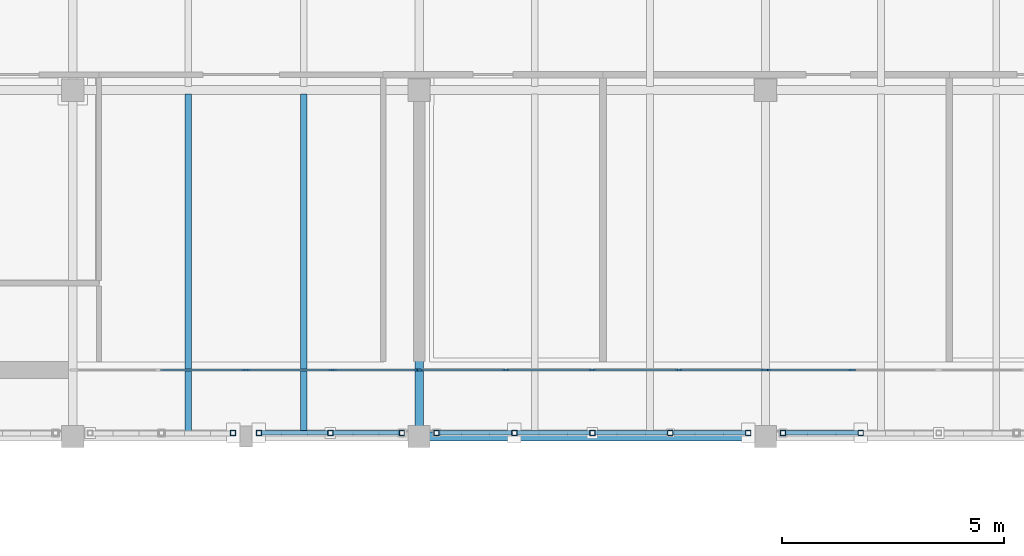
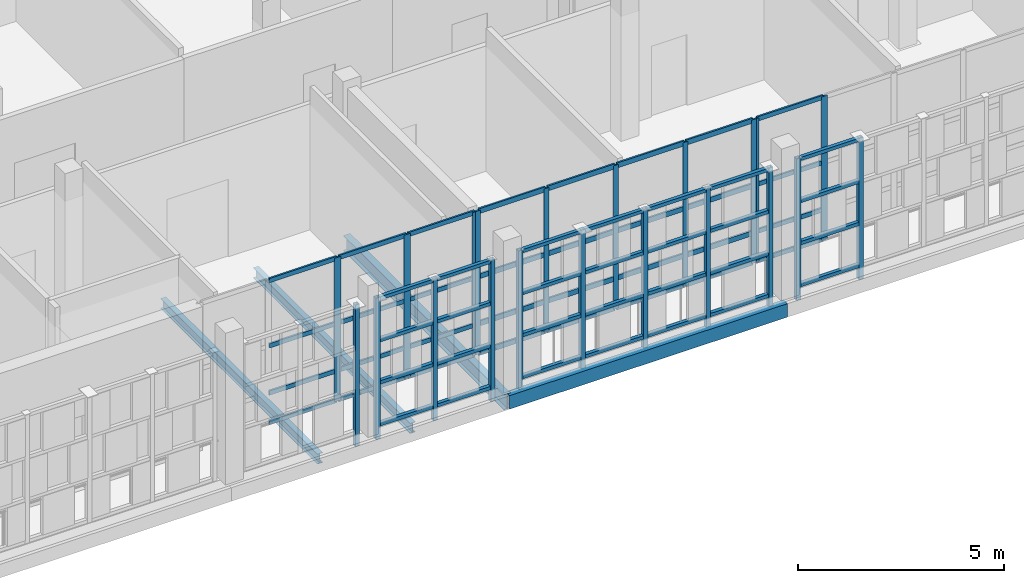
# One storey, part 39 of 89: 81 members, 4 beams, 3 elements without a shape of their own.
"""IFC4 building model written with IfcOpenShell, lengths in metres."""

import ifcopenshell
import ifcopenshell.guid

model = None  # the IFC model being written
_history = None  # IfcOwnerHistory: only IFC2X3 demands one
_inside = {}  # id of a spatial element -> (the spatial element, [elements in it])
_under = {}  # id of a project, library or spatial element -> (it, [spatial elements below it])
_declared = {}  # id of a project -> (the project, [libraries it declares])
_typed = {}  # id of a type object -> (the type object, [elements of that type])
_made_of = {}  # id of a material, layer set ... -> (it, [elements and type objects made of it])


def new_model(schema):
    """Start an empty IFC model of exactly this schema.

    Asked for "IFC4X3", IfcOpenShell would pick the latest addendum, in which some entities
    have other attributes; the version numbers below select the first issue.
    IFC2X3 requires an IfcOwnerHistory on every rooted entity: one is made here for all.
    """
    global model, _history
    if schema == "IFC4X3":
        model = ifcopenshell.file(schema_version=(4, 3, 0, 0))
    else:
        model = ifcopenshell.file(schema=schema)
    _inside.clear()
    _under.clear()
    _declared.clear()
    _typed.clear()
    _made_of.clear()
    _history = None
    if model.schema == "IFC2X3":
        org = make("IfcOrganization", Name="unknown")
        user = make(
            "IfcPersonAndOrganization",
            ThePerson=make("IfcPerson", FamilyName="unknown"),
            TheOrganization=org,
        )
        app = make(
            "IfcApplication",
            ApplicationDeveloper=org,
            Version="unknown",
            ApplicationFullName="unknown",
            ApplicationIdentifier="unknown",
        )
        _history = make(
            "IfcOwnerHistory",
            OwningUser=user,
            OwningApplication=app,
            ChangeAction="ADDED",
            CreationDate=0,
        )
    return model


def make(cls, **values):
    """One entity of the class cls with the attributes given. An attribute that is None is left unset."""
    return model.create_entity(
        cls, **{name: value for name, value in values.items() if value is not None}
    )


def rooted(cls, **values):
    """An entity with a GlobalId (a new one), such as an element, a storey or a relation."""
    return make(cls, GlobalId=ifcopenshell.guid.new(), OwnerHistory=_history, **values)


def si_unit(unit_type, name, prefix=None):
    """IfcSIUnit, for example si_unit("LENGTHUNIT", "METRE", prefix="MILLI")."""
    return make("IfcSIUnit", UnitType=unit_type, Prefix=prefix, Name=name)


def assignment(units):
    """IfcUnitAssignment: the units of a project."""
    return None if units is None else make("IfcUnitAssignment", Units=units)


def point(xyz):
    """IfcCartesianPoint."""
    return None if xyz is None else make("IfcCartesianPoint", Coordinates=xyz)


def direction(xyz):
    """IfcDirection."""
    return None if xyz is None else make("IfcDirection", DirectionRatios=xyz)


def frame(location, z_axis=None, x_axis=None):
    """IfcAxis2Placement3D, a coordinate frame: its origin and axes. An axis left out is left unset."""
    return make(
        "IfcAxis2Placement3D",
        Location=point(location),
        Axis=direction(z_axis),
        RefDirection=direction(x_axis),
    )


def frame_2d(location, x_axis=None):
    """IfcAxis2Placement2D, a coordinate frame in the plane: its origin and x axis."""
    return make(
        "IfcAxis2Placement2D", Location=point(location), RefDirection=direction(x_axis)
    )


def origin():
    """The frame at (0, 0, 0) with its axes left unset."""
    return frame((0.0, 0.0, 0.0))


def origin_2d():
    """The frame at (0, 0) in the plane with its x axis left unset."""
    return frame_2d((0.0, 0.0))


def place(relative_to, where):
    """IfcLocalPlacement: puts the frame where relative to a parent placement (None: the world)."""
    return make(
        "IfcLocalPlacement", PlacementRelTo=relative_to, RelativePlacement=where
    )


def context(
    kind, dimensions, precision=None, world=None, true_north=None, identifier=None
):
    """IfcGeometricRepresentationContext, for example the 3D "Model" context."""
    return make(
        "IfcGeometricRepresentationContext",
        ContextIdentifier=identifier,
        ContextType=kind,
        CoordinateSpaceDimension=dimensions,
        Precision=precision,
        WorldCoordinateSystem=world,
        TrueNorth=true_north,
    )


def subcontext(parent, identifier, kind, view, scale=None):
    """IfcGeometricRepresentationSubContext, for example "Body" below "Model"."""
    return make(
        "IfcGeometricRepresentationSubContext",
        ContextIdentifier=identifier,
        ContextType=kind,
        ParentContext=parent,
        TargetScale=scale,
        TargetView=view,
    )


def project(units=None, contexts=None):
    """IfcProject with its units and contexts."""
    return rooted(
        "IfcProject",
        Name="project",
        RepresentationContexts=contexts,
        UnitsInContext=assignment(units),
    )


def spatial(cls, under=None, at=None, **own):
    """A site, building, storey or space (cls), placed at a placement, below another one or the project."""
    s = rooted(cls, ObjectPlacement=at, **own)
    if under is not None:
        _under.setdefault(under.id(), (under, []))[1].append(s)
    return s


def profile(cls, at=None, kind="AREA", **sizes):
    """A parametric profile (cls). Its sizes go by their IFC names, for example OverallWidth=200.0."""
    return make(cls, ProfileType=kind, Position=at, **sizes)


def rectangle(**sizes):
    """IfcRectangleProfileDef."""
    return profile("IfcRectangleProfileDef", **sizes)


def hollow_rectangle(**sizes):
    """IfcRectangleHollowProfileDef."""
    return profile("IfcRectangleHollowProfileDef", **sizes)


def i_section(**sizes):
    """IfcIShapeProfileDef."""
    return profile("IfcIShapeProfileDef", **sizes)


def extrude(swept, where, along, depth):
    """IfcExtrudedAreaSolid: the profile swept, set in the frame where, extruded along a direction by depth."""
    return make(
        "IfcExtrudedAreaSolid",
        SweptArea=swept,
        Position=where,
        ExtrudedDirection=direction(along),
        Depth=depth,
    )


def shape(context_of_items, identifier, shape_type, items):
    """IfcShapeRepresentation: the items that make up one representation, for example the "Body"."""
    return make(
        "IfcShapeRepresentation",
        ContextOfItems=context_of_items,
        RepresentationIdentifier=identifier,
        RepresentationType=shape_type,
        Items=items,
    )


def material(Name=None, Category=None):
    """IfcMaterial."""
    return make("IfcMaterial", Name=Name, Category=Category)


def layer(
    of_material, thickness, ventilated=None, Name=None, Category=None, Priority=None
):
    """IfcMaterialLayer: one layer of a wall or slab, of a material (None: an air gap)."""
    return make(
        "IfcMaterialLayer",
        Material=of_material,
        LayerThickness=thickness,
        IsVentilated=ventilated,
        Name=Name,
        Category=Category,
        Priority=Priority,
    )


def layer_set(layers, Name=None):
    """IfcMaterialLayerSet."""
    return make("IfcMaterialLayerSet", MaterialLayers=layers, LayerSetName=Name)


def material_profile(
    of_material, cross_section, Name=None, Category=None, Priority=None
):
    """IfcMaterialProfile: a cross section and its material."""
    return make(
        "IfcMaterialProfile",
        Name=Name,
        Material=of_material,
        Profile=cross_section,
        Priority=Priority,
        Category=Category,
    )


def profile_set(profiles, Name=None, composite=None):
    """IfcMaterialProfileSet."""
    return make(
        "IfcMaterialProfileSet",
        Name=Name,
        MaterialProfiles=profiles,
        CompositeProfile=composite,
    )


def made_of(thing, what):
    """Note that an element or type object is made of a material, layer set ...; save() writes the relation."""
    if what is not None:
        _made_of.setdefault(what.id(), (what, []))[1].append(thing)
    return thing


def type_object(cls, material=None, **own):
    """A type object (cls), such as IfcWallType, which elements share."""
    return made_of(rooted(cls, **own), material)


def element(
    cls,
    number,
    at=None,
    inside=None,
    cuts=None,
    type_object=None,
    material=None,
    context=None,
    identifier="Body",
    shape_type=None,
    held_by="IfcProductDefinitionShape",
    body=None,
    shapes=None,
    **own,
):
    """One element of the class cls, such as IfcWall. Its Tag is "e" and its number.

    at: its placement. inside: the storey or other place that contains it. cuts: it is an
    opening in that element (IfcRelVoidsElement). A single representation is given by context,
    identifier, shape_type and body (its items); several are given by shapes. held_by: the class
    of the entity that holds the representations. save() writes the other relations.
    """
    e = rooted(cls, Tag="e%d" % number, ObjectPlacement=at, **own)
    if body is not None:
        shapes = [shape(context, identifier, shape_type, body)]
    if shapes is not None:
        e.Representation = make(held_by, Representations=shapes)
    if inside is not None:
        _inside.setdefault(inside.id(), (inside, []))[1].append(e)
    if cuts is not None:
        rooted(
            "IfcRelVoidsElement", RelatingBuildingElement=cuts, RelatedOpeningElement=e
        )
    if type_object is not None:
        _typed.setdefault(type_object.id(), (type_object, []))[1].append(e)
    return made_of(e, material)


def aggregate(whole, parts):
    """IfcRelAggregates: a whole, such as a stair, and the parts it consists of."""
    return rooted("IfcRelAggregates", RelatingObject=whole, RelatedObjects=parts)


def save(model, path):
    """Write the relations noted so far, then the file.

    IfcRelAggregates (storeys below a building ...), IfcRelContainedInSpatialStructure (elements
    in a storey), IfcRelDefinesByType, IfcRelAssociatesMaterial and IfcRelDeclares: one each for
    every whole, place, type object, material and project.
    """
    for whole, parts in _under.values():
        aggregate(whole, parts)
    for where, things in _inside.values():
        rooted(
            "IfcRelContainedInSpatialStructure",
            RelatedElements=things,
            RelatingStructure=where,
        )
    for kind, things in _typed.values():
        rooted("IfcRelDefinesByType", RelatedObjects=things, RelatingType=kind)
    for what, things in _made_of.values():
        rooted("IfcRelAssociatesMaterial", RelatedObjects=things, RelatingMaterial=what)
    for by, libraries in _declared.values():
        rooted("IfcRelDeclares", RelatingContext=by, RelatedDefinitions=libraries)
    model.write(path)


model = new_model("IFC4")

# Units and contexts
model_context = context("Model", 3, precision=1e-05, world=origin(), true_north=direction((0.0, 1.0)))
body_context = subcontext(model_context, "Body", "Model", "MODEL_VIEW")
ifc_project = project(units=[si_unit("LENGTHUNIT", "METRE"), si_unit("AREAUNIT", "SQUARE_METRE"), si_unit("VOLUMEUNIT", "CUBIC_METRE"), si_unit("PLANEANGLEUNIT", "RADIAN"), si_unit("MASSUNIT", "GRAM", prefix="KILO")], contexts=[model_context])

# Site, building, storey
site_placement = place(None, origin())
site = spatial("IfcSite", under=ifc_project, at=site_placement, CompositionType="ELEMENT")
building_placement = place(site_placement, origin())
building = spatial("IfcBuilding", under=site, at=building_placement, Name="Celorna Specialist Clinic", CompositionType="ELEMENT")
storey_placement = place(building_placement, frame((0.0, 0.0, 14.10009765625)))
storey = spatial("IfcBuildingStorey", under=building, at=storey_placement, Name="L03", CompositionType="ELEMENT", Elevation=14.10009765625)

# Beams
ifc_material_1 = material(Name="Steel S355", Category="steel")
ifc_material_profile_1 = material_profile(ifc_material_1, i_section(OverallWidth=0.18994140625, OverallDepth=0.449951171875, WebThickness=0.009521484375, FlangeThickness=0.0146484375, at=origin_2d()), Name="IPE 450")
ifc_profile_set_1 = profile_set([ifc_material_profile_1], Name="Steel S355")
beam_type_1 = type_object("IfcBeamType", Name="BM-09", PredefinedType="BEAM", material=ifc_profile_set_1)
beam_1_placement = place(storey_placement, frame((101.39990234375, 96.5, -0.485107421875), z_axis=(0.0, 1.0, 0.0), x_axis=(-1.0, 0.0, 0.0)))
element("IfcBeam", 1, at=beam_1_placement, inside=storey, type_object=beam_type_1, Name="Transverse girder BM-09 #1266", PredefinedType="BEAM", context=body_context, shape_type="SweptSolid", body=[
    extrude(i_section(OverallWidth=0.18994140625, OverallDepth=0.449951171875, WebThickness=0.009521484375, FlangeThickness=0.0146484375, at=origin_2d()), origin(), (0.0, 0.0, 1.0), 7.800048828125),
])
ifc_material_profile_2 = material_profile(ifc_material_1, i_section(OverallWidth=0.14990234375, OverallDepth=0.300048828125, WebThickness=0.007080078125, FlangeThickness=0.0107421875, at=origin_2d()), Name="IPE 300")
ifc_profile_set_2 = profile_set([ifc_material_profile_2], Name="Steel S355")
beam_type_2 = type_object("IfcBeamType", Name="BM-13", PredefinedType="JOIST", material=ifc_profile_set_2)
for number, where, z_axis, x_axis, name in (
    (2, (96.199951171875, 96.587890625, -0.41015625), (0.0, 1.0, 0.0), (-1.0, 0.0, 0.0), "Secondary floor joist BM-13 #1311"),
    (3, (98.800048828125, 96.587890625, -0.41015625), (0.0, 1.0, 0.0), (-1.0, 0.0, 0.0), "Secondary floor joist BM-13 #1312"),
):
    element("IfcBeam", number, at=place(storey_placement, frame(where, z_axis=z_axis, x_axis=x_axis)), inside=storey, type_object=beam_type_2, Name=name, PredefinedType="JOIST", context=body_context, shape_type="SweptSolid", body=[
        extrude(i_section(OverallWidth=0.14990234375, OverallDepth=0.300048828125, WebThickness=0.007080078125, FlangeThickness=0.0107421875, at=origin_2d()), origin(), (0.0, 0.0, 1.0), 7.6240234375),
    ])
ifc_material_profile_3 = material_profile(ifc_material_1, hollow_rectangle(XDim=0.199951171875, YDim=0.39990234375, WallThickness=0.011962890625, at=origin_2d()), Name="RHS 200x400x12")
ifc_profile_set_3 = profile_set([ifc_material_profile_3], Name="Steel S355")
beam_type_3 = type_object("IfcBeamType", Name="BM-15", PredefinedType="SPANDREL", material=ifc_profile_set_3)
beam_2_placement = place(storey_placement, frame((101.39990234375, 96.5, -0.460205078125), z_axis=(1.0, 0.0, 0.0), x_axis=(0.0, 1.0, 0.0)))
element("IfcBeam", 4, at=beam_2_placement, inside=storey, type_object=beam_type_3, Name="Spandrel beam BM-15 #1208", PredefinedType="SPANDREL", context=body_context, shape_type="SweptSolid", body=[
    extrude(hollow_rectangle(XDim=0.199951171875, YDim=0.39990234375, WallThickness=0.011962890625, at=origin_2d()), origin(), (0.0, 0.0, 1.0), 7.800048828125),
])

# Members
ifc_material_profile_4 = material_profile(ifc_material_1, hollow_rectangle(XDim=0.1201171875, YDim=0.1201171875, WallThickness=0.008056640625, at=origin_2d()), Name="SHS 120x120x8")
ifc_profile_set_4 = profile_set([ifc_material_profile_4], Name="Steel S355")
member_type_1 = type_object("IfcMemberType", Name="MB-11", PredefinedType="STUD", material=ifc_profile_set_4)
for number, where, z_axis, x_axis, name in (
    (5, (97.2099609375, 96.580078125, -0.360107421875), (0.0, 0.0, 1.0), (1.0, 0.0, 0.0), "Perforated screen steel post #1360"),
    (6, (97.7900390625, 96.580078125, -0.360107421875), (0.0, 0.0, 1.0), (1.0, 0.0, 0.0), "Perforated screen steel post #1369"),
    (7, (99.39990234375, 96.580078125, -0.360107421875), (0.0, 0.0, 1.0), (1.0, 0.0, 0.0), "Perforated screen steel post #1370"),
    (8, (101.010009765625, 96.580078125, -0.360107421875), (0.0, 0.0, 1.0), (1.0, 0.0, 0.0), "Perforated screen steel post #1371"),
    (9, (101.7900390625, 96.580078125, -0.360107421875), (0.0, 0.0, 1.0), (1.0, 0.0, 0.0), "Perforated screen steel post #1380"),
    (10, (103.544921875, 96.580078125, -0.360107421875), (0.0, 0.0, 1.0), (1.0, 0.0, 0.0), "Perforated screen steel post #1381"),
    (11, (105.300048828125, 96.580078125, -0.360107421875), (0.0, 0.0, 1.0), (1.0, 0.0, 0.0), "Perforated screen steel post #1382"),
    (12, (107.054931640625, 96.580078125, -0.360107421875), (0.0, 0.0, 1.0), (1.0, 0.0, 0.0), "Perforated screen steel post #1383"),
    (13, (108.81005859375, 96.580078125, -0.360107421875), (0.0, 0.0, 1.0), (1.0, 0.0, 0.0), "Perforated screen steel post #1384"),
    (14, (109.590087890625, 96.580078125, -0.360107421875), (0.0, 0.0, 1.0), (1.0, 0.0, 0.0), "Perforated screen steel post #1401"),
    (15, (111.344970703125, 96.580078125, -0.360107421875), (0.0, 0.0, 1.0), (1.0, 0.0, 0.0), "Perforated screen steel post #1402"),
):
    element("IfcMember", number, at=place(storey_placement, frame(where, z_axis=z_axis, x_axis=x_axis)), inside=storey, type_object=member_type_1, Name=name, PredefinedType="STUD", context=body_context, shape_type="SweptSolid", body=[
        extrude(hollow_rectangle(XDim=0.1201171875, YDim=0.1201171875, WallThickness=0.008056640625, at=origin_2d()), origin(), (0.0, 0.0, 1.0), 4.199951171875),
    ])
ifc_material_profile_5 = material_profile(ifc_material_1, hollow_rectangle(XDim=0.10009765625, YDim=0.10009765625, WallThickness=0.006103515625, at=origin_2d()), Name="SHS 100x100x6")
ifc_profile_set_5 = profile_set([ifc_material_profile_5], Name="Steel S355")
member_type_2 = type_object("IfcMemberType", Name="MB-12", PredefinedType="STUD", material=ifc_profile_set_5)
for number, where, z_axis, x_axis, name in (
    (16, (97.85009765625, 96.580078125, 0.0498046875), (1.0, 0.0, 0.0), (0.0, 1.0, 0.0), "Perforated screen rail #1372"),
    (17, (97.85009765625, 96.580078125, 1.296630859375), (1.0, 0.0, 0.0), (0.0, 1.0, 0.0), "Perforated screen rail #1373"),
    (18, (97.85009765625, 96.580078125, 2.543212890625), (1.0, 0.0, 0.0), (0.0, 1.0, 0.0), "Perforated screen rail #1374"),
    (19, (97.85009765625, 96.580078125, 3.789794921875), (1.0, 0.0, 0.0), (0.0, 1.0, 0.0), "Perforated screen rail #1375"),
    (20, (99.4599609375, 96.580078125, 0.0498046875), (1.0, 0.0, 0.0), (0.0, 1.0, 0.0), "Perforated screen rail #1376"),
    (21, (99.4599609375, 96.580078125, 1.296630859375), (1.0, 0.0, 0.0), (0.0, 1.0, 0.0), "Perforated screen rail #1377"),
    (22, (99.4599609375, 96.580078125, 2.543212890625), (1.0, 0.0, 0.0), (0.0, 1.0, 0.0), "Perforated screen rail #1378"),
    (23, (99.4599609375, 96.580078125, 3.789794921875), (1.0, 0.0, 0.0), (0.0, 1.0, 0.0), "Perforated screen rail #1379"),
):
    element("IfcMember", number, at=place(storey_placement, frame(where, z_axis=z_axis, x_axis=x_axis)), inside=storey, type_object=member_type_2, Name=name, PredefinedType="STUD", context=body_context, shape_type="SweptSolid", body=[
        extrude(hollow_rectangle(XDim=0.10009765625, YDim=0.10009765625, WallThickness=0.006103515625, at=origin_2d()), origin(), (0.0, 0.0, 1.0), 1.489990234375),
    ])
for number, where, z_axis, x_axis, name in (
    (24, (101.85009765625, 96.580078125, 0.0498046875), (1.0, 0.0, 0.0), (0.0, 1.0, 0.0), "Perforated screen rail #1385"),
    (25, (101.85009765625, 96.580078125, 1.296630859375), (1.0, 0.0, 0.0), (0.0, 1.0, 0.0), "Perforated screen rail #1386"),
    (26, (101.85009765625, 96.580078125, 2.543212890625), (1.0, 0.0, 0.0), (0.0, 1.0, 0.0), "Perforated screen rail #1387"),
    (27, (101.85009765625, 96.580078125, 3.789794921875), (1.0, 0.0, 0.0), (0.0, 1.0, 0.0), "Perforated screen rail #1388"),
    (28, (103.60498046875, 96.580078125, 0.0498046875), (1.0, 0.0, 0.0), (0.0, 1.0, 0.0), "Perforated screen rail #1389"),
    (29, (103.60498046875, 96.580078125, 1.296630859375), (1.0, 0.0, 0.0), (0.0, 1.0, 0.0), "Perforated screen rail #1390"),
    (30, (103.60498046875, 96.580078125, 2.543212890625), (1.0, 0.0, 0.0), (0.0, 1.0, 0.0), "Perforated screen rail #1391"),
    (31, (103.60498046875, 96.580078125, 3.789794921875), (1.0, 0.0, 0.0), (0.0, 1.0, 0.0), "Perforated screen rail #1392"),
    (32, (105.360107421875, 96.580078125, 0.0498046875), (1.0, 0.0, 0.0), (0.0, 1.0, 0.0), "Perforated screen rail #1393"),
    (33, (105.360107421875, 96.580078125, 1.296630859375), (1.0, 0.0, 0.0), (0.0, 1.0, 0.0), "Perforated screen rail #1394"),
    (34, (105.360107421875, 96.580078125, 2.543212890625), (1.0, 0.0, 0.0), (0.0, 1.0, 0.0), "Perforated screen rail #1395"),
    (35, (105.360107421875, 96.580078125, 3.789794921875), (1.0, 0.0, 0.0), (0.0, 1.0, 0.0), "Perforated screen rail #1396"),
    (36, (107.114990234375, 96.580078125, 0.0498046875), (1.0, 0.0, 0.0), (0.0, 1.0, 0.0), "Perforated screen rail #1397"),
    (37, (107.114990234375, 96.580078125, 1.296630859375), (1.0, 0.0, 0.0), (0.0, 1.0, 0.0), "Perforated screen rail #1398"),
    (38, (107.114990234375, 96.580078125, 2.543212890625), (1.0, 0.0, 0.0), (0.0, 1.0, 0.0), "Perforated screen rail #1399"),
    (39, (107.114990234375, 96.580078125, 3.789794921875), (1.0, 0.0, 0.0), (0.0, 1.0, 0.0), "Perforated screen rail #1400"),
    (40, (109.64990234375, 96.580078125, 0.0498046875), (1.0, 0.0, 0.0), (0.0, 1.0, 0.0), "Perforated screen rail #1406"),
    (41, (109.64990234375, 96.580078125, 1.296630859375), (1.0, 0.0, 0.0), (0.0, 1.0, 0.0), "Perforated screen rail #1407"),
    (42, (109.64990234375, 96.580078125, 2.543212890625), (1.0, 0.0, 0.0), (0.0, 1.0, 0.0), "Perforated screen rail #1408"),
    (43, (109.64990234375, 96.580078125, 3.789794921875), (1.0, 0.0, 0.0), (0.0, 1.0, 0.0), "Perforated screen rail #1409"),
):
    element("IfcMember", number, at=place(storey_placement, frame(where, z_axis=z_axis, x_axis=x_axis)), inside=storey, type_object=member_type_2, Name=name, PredefinedType="STUD", context=body_context, shape_type="SweptSolid", body=[
        extrude(hollow_rectangle(XDim=0.10009765625, YDim=0.10009765625, WallThickness=0.006103515625, at=origin_2d()), origin(), (0.0, 0.0, 1.0), 1.635009765625),
    ])

# Curtain wall, members
ifc_material_2 = material(Name="Thermally broken aluminium and solar-control glass curtain wall", Category="aluminium")
ifc_layer_1 = layer(ifc_material_2, 0.159912109375, Name="Thermally broken aluminium and solar-control glass curtain wall")
ifc_layer_set_1 = layer_set([ifc_layer_1], Name="Thermally broken aluminium and solar-control glass curtain wall")
curtain_wall_type_1 = type_object("IfcCurtainWallType", Name="CW-70", PredefinedType="NOTDEFINED", material=ifc_layer_set_1)
curtain_wall_1_placement = place(storey_placement, origin())
curtain_wall_1 = element("IfcCurtainWall", 44, at=curtain_wall_1_placement, inside=storey, type_object=curtain_wall_type_1, Name="Curtain wall CW-70 #135", PredefinedType="NOTDEFINED")
ifc_material_3 = material(Name="Anodized aluminium mullion", Category="aluminium")
ifc_material_profile_6 = material_profile(ifc_material_3, rectangle(XDim=0.050048828125, YDim=0.159912109375, at=origin_2d()), Name="ALU MULLION 50x160")
ifc_profile_set_6 = profile_set([ifc_material_profile_6], Name="Anodized aluminium mullion")
member_type_3 = type_object("IfcMemberType", Name="ML-01", PredefinedType="MULLION", material=ifc_profile_set_6)
member_1_placement = place(storey_placement, frame((111.152099609375, 98.0, 0.0), z_axis=(0.0, 0.0, 1.0), x_axis=(0.0, -1.0, 0.0)))
member_1 = element("IfcMember", 45, at=member_1_placement, type_object=member_type_3, Name="CW-70 mullion 4", PredefinedType="MULLION", context=body_context, shape_type="SweptSolid", body=[
    extrude(rectangle(XDim=0.050048828125, YDim=0.159912109375, at=origin_2d()), origin(), (0.0, 0.0, 1.0), 4.260009765625),
])
member_2_placement = place(storey_placement, frame((109.22900390625, 98.0, 0.0), z_axis=(0.0, 0.0, 1.0), x_axis=(0.0, -1.0, 0.0)))
member_2 = element("IfcMember", 46, at=member_2_placement, type_object=member_type_3, Name="CW-70 mullion 5", PredefinedType="MULLION", context=body_context, shape_type="SweptSolid", body=[
    extrude(rectangle(XDim=0.050048828125, YDim=0.159912109375, at=origin_2d()), origin(), (0.0, 0.0, 1.0), 4.260009765625),
])

ifc_layer_2 = layer(ifc_material_2, 0.159912109375, Name="Thermally broken aluminium and solar-control glass curtain wall")
ifc_layer_set_2 = layer_set([ifc_layer_2], Name="Thermally broken aluminium and solar-control glass curtain wall")
curtain_wall_type_2 = type_object("IfcCurtainWallType", Name="CW-71", PredefinedType="NOTDEFINED", material=ifc_layer_set_2)
curtain_wall_2_placement = place(storey_placement, origin())
curtain_wall_2 = element("IfcCurtainWall", 47, at=curtain_wall_2_placement, inside=storey, type_object=curtain_wall_type_2, Name="Curtain wall CW-71 #133", PredefinedType="NOTDEFINED")
ifc_material_profile_7 = material_profile(ifc_material_3, rectangle(XDim=0.050048828125, YDim=0.179931640625, at=origin_2d()), Name="ALU MULLION 50x180")
ifc_profile_set_7 = profile_set([ifc_material_profile_7], Name="Anodized aluminium mullion")
member_type_4 = type_object("IfcMemberType", Name="ML-02", PredefinedType="MULLION", material=ifc_profile_set_7)
member_3_placement = place(storey_placement, frame((101.37109375, 98.0, 0.0), z_axis=(0.0, 0.0, 1.0), x_axis=(0.0, -1.0, 0.0)))
member_3 = element("IfcMember", 48, at=member_3_placement, type_object=member_type_4, Name="CW-71 mullion 1", PredefinedType="MULLION", context=body_context, shape_type="SweptSolid", body=[
    extrude(rectangle(XDim=0.050048828125, YDim=0.179931640625, at=origin_2d()), origin(), (0.0, 0.0, 1.0), 4.260009765625),
])
member_4_placement = place(storey_placement, frame((99.447998046875, 98.0, 0.0), z_axis=(0.0, 0.0, 1.0), x_axis=(0.0, -1.0, 0.0)))
member_4 = element("IfcMember", 49, at=member_4_placement, type_object=member_type_4, Name="CW-71 mullion 2", PredefinedType="MULLION", context=body_context, shape_type="SweptSolid", body=[
    extrude(rectangle(XDim=0.050048828125, YDim=0.179931640625, at=origin_2d()), origin(), (0.0, 0.0, 1.0), 4.260009765625),
])
member_5_placement = place(storey_placement, frame((97.5, 98.0, 0.0), z_axis=(0.0, 0.0, 1.0), x_axis=(0.0, -1.0, 0.0)))
member_5 = element("IfcMember", 50, at=member_5_placement, type_object=member_type_4, Name="CW-71 mullion 3", PredefinedType="MULLION", context=body_context, shape_type="SweptSolid", body=[
    extrude(rectangle(XDim=0.050048828125, YDim=0.179931640625, at=origin_2d()), origin(), (0.0, 0.0, 1.0), 4.260009765625),
])

ifc_layer_3 = layer(ifc_material_2, 0.159912109375, Name="Thermally broken aluminium and solar-control glass curtain wall")
ifc_layer_set_3 = layer_set([ifc_layer_3], Name="Thermally broken aluminium and solar-control glass curtain wall")
curtain_wall_type_3 = type_object("IfcCurtainWallType", Name="CW-69", PredefinedType="NOTDEFINED", material=ifc_layer_set_3)
curtain_wall_3_placement = place(storey_placement, origin())
curtain_wall_3 = element("IfcCurtainWall", 51, at=curtain_wall_3_placement, inside=storey, type_object=curtain_wall_type_3, Name="Curtain wall CW-69 #134", PredefinedType="NOTDEFINED")
ifc_material_profile_8 = material_profile(ifc_material_3, rectangle(XDim=0.050048828125, YDim=0.139892578125, at=origin_2d()), Name="ALU MULLION 50x140")
ifc_profile_set_8 = profile_set([ifc_material_profile_8], Name="Anodized aluminium mullion")
member_type_5 = type_object("IfcMemberType", Name="ML-03", PredefinedType="MULLION", material=ifc_profile_set_8)
member_6_placement = place(storey_placement, frame((109.1708984375, 98.0, 0.0), z_axis=(0.0, 0.0, 1.0), x_axis=(0.0, -1.0, 0.0)))
member_6 = element("IfcMember", 52, at=member_6_placement, type_object=member_type_5, Name="CW-69 mullion 1", PredefinedType="MULLION", context=body_context, shape_type="SweptSolid", body=[
    extrude(rectangle(XDim=0.050048828125, YDim=0.139892578125, at=origin_2d()), origin(), (0.0, 0.0, 1.0), 4.260009765625),
])
member_7_placement = place(storey_placement, frame((107.248046875, 98.0, 0.0), z_axis=(0.0, 0.0, 1.0), x_axis=(0.0, -1.0, 0.0)))
member_7 = element("IfcMember", 53, at=member_7_placement, type_object=member_type_5, Name="CW-69 mullion 2", PredefinedType="MULLION", context=body_context, shape_type="SweptSolid", body=[
    extrude(rectangle(XDim=0.050048828125, YDim=0.139892578125, at=origin_2d()), origin(), (0.0, 0.0, 1.0), 4.260009765625),
])
member_8_placement = place(storey_placement, frame((105.300048828125, 98.0, 0.0), z_axis=(0.0, 0.0, 1.0), x_axis=(0.0, -1.0, 0.0)))
member_8 = element("IfcMember", 54, at=member_8_placement, type_object=member_type_5, Name="CW-69 mullion 3", PredefinedType="MULLION", context=body_context, shape_type="SweptSolid", body=[
    extrude(rectangle(XDim=0.050048828125, YDim=0.139892578125, at=origin_2d()), origin(), (0.0, 0.0, 1.0), 4.260009765625),
])
member_9_placement = place(storey_placement, frame((103.35205078125, 98.0, 0.0), z_axis=(0.0, 0.0, 1.0), x_axis=(0.0, -1.0, 0.0)))
member_9 = element("IfcMember", 55, at=member_9_placement, type_object=member_type_5, Name="CW-69 mullion 4", PredefinedType="MULLION", context=body_context, shape_type="SweptSolid", body=[
    extrude(rectangle(XDim=0.050048828125, YDim=0.139892578125, at=origin_2d()), origin(), (0.0, 0.0, 1.0), 4.260009765625),
])
member_10_placement = place(storey_placement, frame((101.428955078125, 98.0, 0.0), z_axis=(0.0, 0.0, 1.0), x_axis=(0.0, -1.0, 0.0)))
member_10 = element("IfcMember", 56, at=member_10_placement, type_object=member_type_5, Name="CW-69 mullion 5", PredefinedType="MULLION", context=body_context, shape_type="SweptSolid", body=[
    extrude(rectangle(XDim=0.050048828125, YDim=0.139892578125, at=origin_2d()), origin(), (0.0, 0.0, 1.0), 4.260009765625),
])

# Member
ifc_material_4 = material(Name="Anodized aluminium transom", Category="aluminium")
ifc_material_profile_9 = material_profile(ifc_material_4, rectangle(XDim=0.050048828125, YDim=0.1298828125, at=origin_2d()), Name="ALU TRANSOM 50x130")
ifc_profile_set_9 = profile_set([ifc_material_profile_9], Name="Anodized aluminium transom")
member_type_6 = type_object("IfcMemberType", Name="TR-01", PredefinedType="USERDEFINED", material=ifc_profile_set_9)
member_11_placement = place(storey_placement, frame((101.345947265625, 98.0, 0.02490234375), z_axis=(-1.0, 0.0, 0.0), x_axis=(0.0, -1.0, 0.0)))
member_11 = element("IfcMember", 57, at=member_11_placement, type_object=member_type_6, Name="CW-71 transom 1.1", ObjectType="TRANSOM", PredefinedType="USERDEFINED", context=body_context, shape_type="SweptSolid", body=[
    extrude(rectangle(XDim=0.050048828125, YDim=0.1298828125, at=origin_2d()), origin(), (0.0, 0.0, 1.0), 1.873046875),
])

member_12_placement = place(storey_placement, frame((101.345947265625, 98.0, 0.89990234375), z_axis=(-1.0, 0.0, 0.0), x_axis=(0.0, -1.0, 0.0)))
member_12 = element("IfcMember", 58, at=member_12_placement, type_object=member_type_6, Name="CW-71 transom 1.2", ObjectType="TRANSOM", PredefinedType="USERDEFINED", context=body_context, shape_type="SweptSolid", body=[
    extrude(rectangle(XDim=0.050048828125, YDim=0.1298828125, at=origin_2d()), origin(), (0.0, 0.0, 1.0), 1.873046875),
])

member_13_placement = place(storey_placement, frame((101.345947265625, 98.0, 2.2998046875), z_axis=(-1.0, 0.0, 0.0), x_axis=(0.0, -1.0, 0.0)))
member_13 = element("IfcMember", 59, at=member_13_placement, type_object=member_type_6, Name="CW-71 transom 1.3", ObjectType="TRANSOM", PredefinedType="USERDEFINED", context=body_context, shape_type="SweptSolid", body=[
    extrude(rectangle(XDim=0.050048828125, YDim=0.1298828125, at=origin_2d()), origin(), (0.0, 0.0, 1.0), 1.873046875),
])

member_14_placement = place(storey_placement, frame((101.345947265625, 98.0, 4.23486328125), z_axis=(-1.0, 0.0, 0.0), x_axis=(0.0, -1.0, 0.0)))
member_14 = element("IfcMember", 60, at=member_14_placement, type_object=member_type_6, Name="CW-71 transom 1.4", ObjectType="TRANSOM", PredefinedType="USERDEFINED", context=body_context, shape_type="SweptSolid", body=[
    extrude(rectangle(XDim=0.050048828125, YDim=0.1298828125, at=origin_2d()), origin(), (0.0, 0.0, 1.0), 1.873046875),
])

member_15_placement = place(storey_placement, frame((99.423095703125, 98.0, 0.02490234375), z_axis=(-1.0, 0.0, 0.0), x_axis=(0.0, -1.0, 0.0)))
member_15 = element("IfcMember", 61, at=member_15_placement, type_object=member_type_6, Name="CW-71 transom 2.1", ObjectType="TRANSOM", PredefinedType="USERDEFINED", context=body_context, shape_type="SweptSolid", body=[
    extrude(rectangle(XDim=0.050048828125, YDim=0.1298828125, at=origin_2d()), origin(), (0.0, 0.0, 1.0), 1.898193359375),
])

member_16_placement = place(storey_placement, frame((99.423095703125, 98.0, 0.89990234375), z_axis=(-1.0, 0.0, 0.0), x_axis=(0.0, -1.0, 0.0)))
member_16 = element("IfcMember", 62, at=member_16_placement, type_object=member_type_6, Name="CW-71 transom 2.2", ObjectType="TRANSOM", PredefinedType="USERDEFINED", context=body_context, shape_type="SweptSolid", body=[
    extrude(rectangle(XDim=0.050048828125, YDim=0.1298828125, at=origin_2d()), origin(), (0.0, 0.0, 1.0), 1.898193359375),
])

member_17_placement = place(storey_placement, frame((99.423095703125, 98.0, 2.2998046875), z_axis=(-1.0, 0.0, 0.0), x_axis=(0.0, -1.0, 0.0)))
member_17 = element("IfcMember", 63, at=member_17_placement, type_object=member_type_6, Name="CW-71 transom 2.3", ObjectType="TRANSOM", PredefinedType="USERDEFINED", context=body_context, shape_type="SweptSolid", body=[
    extrude(rectangle(XDim=0.050048828125, YDim=0.1298828125, at=origin_2d()), origin(), (0.0, 0.0, 1.0), 1.898193359375),
])

member_18_placement = place(storey_placement, frame((99.423095703125, 98.0, 4.23486328125), z_axis=(-1.0, 0.0, 0.0), x_axis=(0.0, -1.0, 0.0)))
member_18 = element("IfcMember", 64, at=member_18_placement, type_object=member_type_6, Name="CW-71 transom 2.4", ObjectType="TRANSOM", PredefinedType="USERDEFINED", context=body_context, shape_type="SweptSolid", body=[
    extrude(rectangle(XDim=0.050048828125, YDim=0.1298828125, at=origin_2d()), origin(), (0.0, 0.0, 1.0), 1.898193359375),
])

member_19_placement = place(storey_placement, frame((97.47509765625, 98.0, 0.02490234375), z_axis=(-1.0, 0.0, 0.0), x_axis=(0.0, -1.0, 0.0)))
member_19 = element("IfcMember", 65, at=member_19_placement, type_object=member_type_6, Name="CW-71 transom 3.1", ObjectType="TRANSOM", PredefinedType="USERDEFINED", context=body_context, shape_type="SweptSolid", body=[
    extrude(rectangle(XDim=0.050048828125, YDim=0.1298828125, at=origin_2d()), origin(), (0.0, 0.0, 1.0), 1.898193359375),
])

member_20_placement = place(storey_placement, frame((97.47509765625, 98.0, 0.89990234375), z_axis=(-1.0, 0.0, 0.0), x_axis=(0.0, -1.0, 0.0)))
member_20 = element("IfcMember", 66, at=member_20_placement, type_object=member_type_6, Name="CW-71 transom 3.2", ObjectType="TRANSOM", PredefinedType="USERDEFINED", context=body_context, shape_type="SweptSolid", body=[
    extrude(rectangle(XDim=0.050048828125, YDim=0.1298828125, at=origin_2d()), origin(), (0.0, 0.0, 1.0), 1.898193359375),
])

member_21_placement = place(storey_placement, frame((97.47509765625, 98.0, 2.2998046875), z_axis=(-1.0, 0.0, 0.0), x_axis=(0.0, -1.0, 0.0)))
member_21 = element("IfcMember", 67, at=member_21_placement, type_object=member_type_6, Name="CW-71 transom 3.3", ObjectType="TRANSOM", PredefinedType="USERDEFINED", context=body_context, shape_type="SweptSolid", body=[
    extrude(rectangle(XDim=0.050048828125, YDim=0.1298828125, at=origin_2d()), origin(), (0.0, 0.0, 1.0), 1.898193359375),
])

member_22_placement = place(storey_placement, frame((97.47509765625, 98.0, 4.23486328125), z_axis=(-1.0, 0.0, 0.0), x_axis=(0.0, -1.0, 0.0)))
member_22 = element("IfcMember", 68, at=member_22_placement, type_object=member_type_6, Name="CW-71 transom 3.4", ObjectType="TRANSOM", PredefinedType="USERDEFINED", context=body_context, shape_type="SweptSolid", body=[
    extrude(rectangle(XDim=0.050048828125, YDim=0.1298828125, at=origin_2d()), origin(), (0.0, 0.0, 1.0), 1.898193359375),
])

aggregate(curtain_wall_2, [member_3, member_4, member_5, member_11, member_12, member_13, member_14, member_15, member_16, member_17, member_18, member_19, member_20, member_21, member_22])

member_23_placement = place(storey_placement, frame((111.126953125, 98.0, 0.02490234375), z_axis=(-1.0, 0.0, 0.0), x_axis=(0.0, -1.0, 0.0)))
member_23 = element("IfcMember", 69, at=member_23_placement, type_object=member_type_6, Name="CW-70 transom 4.1", ObjectType="TRANSOM", PredefinedType="USERDEFINED", context=body_context, shape_type="SweptSolid", body=[
    extrude(rectangle(XDim=0.050048828125, YDim=0.1298828125, at=origin_2d()), origin(), (0.0, 0.0, 1.0), 1.873046875),
])

member_24_placement = place(storey_placement, frame((111.126953125, 98.0, 0.89990234375), z_axis=(-1.0, 0.0, 0.0), x_axis=(0.0, -1.0, 0.0)))
member_24 = element("IfcMember", 70, at=member_24_placement, type_object=member_type_6, Name="CW-70 transom 4.2", ObjectType="TRANSOM", PredefinedType="USERDEFINED", context=body_context, shape_type="SweptSolid", body=[
    extrude(rectangle(XDim=0.050048828125, YDim=0.1298828125, at=origin_2d()), origin(), (0.0, 0.0, 1.0), 1.873046875),
])

member_25_placement = place(storey_placement, frame((111.126953125, 98.0, 2.2998046875), z_axis=(-1.0, 0.0, 0.0), x_axis=(0.0, -1.0, 0.0)))
member_25 = element("IfcMember", 71, at=member_25_placement, type_object=member_type_6, Name="CW-70 transom 4.3", ObjectType="TRANSOM", PredefinedType="USERDEFINED", context=body_context, shape_type="SweptSolid", body=[
    extrude(rectangle(XDim=0.050048828125, YDim=0.1298828125, at=origin_2d()), origin(), (0.0, 0.0, 1.0), 1.873046875),
])

member_26_placement = place(storey_placement, frame((111.126953125, 98.0, 4.23486328125), z_axis=(-1.0, 0.0, 0.0), x_axis=(0.0, -1.0, 0.0)))
member_26 = element("IfcMember", 72, at=member_26_placement, type_object=member_type_6, Name="CW-70 transom 4.4", ObjectType="TRANSOM", PredefinedType="USERDEFINED", context=body_context, shape_type="SweptSolid", body=[
    extrude(rectangle(XDim=0.050048828125, YDim=0.1298828125, at=origin_2d()), origin(), (0.0, 0.0, 1.0), 1.873046875),
])

aggregate(curtain_wall_1, [member_1, member_2, member_23, member_24, member_25, member_26])

ifc_material_profile_10 = material_profile(ifc_material_4, rectangle(XDim=0.050048828125, YDim=0.14990234375, at=origin_2d()), Name="ALU TRANSOM 50x150")
ifc_profile_set_10 = profile_set([ifc_material_profile_10], Name="Anodized aluminium transom")
member_type_7 = type_object("IfcMemberType", Name="TR-02", PredefinedType="USERDEFINED", material=ifc_profile_set_10)
member_27_placement = place(storey_placement, frame((109.14599609375, 98.0, 0.02490234375), z_axis=(-1.0, 0.0, 0.0), x_axis=(0.0, -1.0, 0.0)))
member_27 = element("IfcMember", 73, at=member_27_placement, type_object=member_type_7, Name="CW-69 transom 1.1", ObjectType="TRANSOM", PredefinedType="USERDEFINED", context=body_context, shape_type="SweptSolid", body=[
    extrude(rectangle(XDim=0.050048828125, YDim=0.14990234375, at=origin_2d()), origin(), (0.0, 0.0, 1.0), 1.873046875),
])

member_28_placement = place(storey_placement, frame((109.14599609375, 98.0, 0.89990234375), z_axis=(-1.0, 0.0, 0.0), x_axis=(0.0, -1.0, 0.0)))
member_28 = element("IfcMember", 74, at=member_28_placement, type_object=member_type_7, Name="CW-69 transom 1.2", ObjectType="TRANSOM", PredefinedType="USERDEFINED", context=body_context, shape_type="SweptSolid", body=[
    extrude(rectangle(XDim=0.050048828125, YDim=0.14990234375, at=origin_2d()), origin(), (0.0, 0.0, 1.0), 1.873046875),
])

member_29_placement = place(storey_placement, frame((109.14599609375, 98.0, 2.2998046875), z_axis=(-1.0, 0.0, 0.0), x_axis=(0.0, -1.0, 0.0)))
member_29 = element("IfcMember", 75, at=member_29_placement, type_object=member_type_7, Name="CW-69 transom 1.3", ObjectType="TRANSOM", PredefinedType="USERDEFINED", context=body_context, shape_type="SweptSolid", body=[
    extrude(rectangle(XDim=0.050048828125, YDim=0.14990234375, at=origin_2d()), origin(), (0.0, 0.0, 1.0), 1.873046875),
])

member_30_placement = place(storey_placement, frame((109.14599609375, 98.0, 4.23486328125), z_axis=(-1.0, 0.0, 0.0), x_axis=(0.0, -1.0, 0.0)))
member_30 = element("IfcMember", 76, at=member_30_placement, type_object=member_type_7, Name="CW-69 transom 1.4", ObjectType="TRANSOM", PredefinedType="USERDEFINED", context=body_context, shape_type="SweptSolid", body=[
    extrude(rectangle(XDim=0.050048828125, YDim=0.14990234375, at=origin_2d()), origin(), (0.0, 0.0, 1.0), 1.873046875),
])

member_31_placement = place(storey_placement, frame((107.222900390625, 98.0, 0.02490234375), z_axis=(-1.0, 0.0, 0.0), x_axis=(0.0, -1.0, 0.0)))
member_31 = element("IfcMember", 77, at=member_31_placement, type_object=member_type_7, Name="CW-69 transom 2.1", ObjectType="TRANSOM", PredefinedType="USERDEFINED", context=body_context, shape_type="SweptSolid", body=[
    extrude(rectangle(XDim=0.050048828125, YDim=0.14990234375, at=origin_2d()), origin(), (0.0, 0.0, 1.0), 1.89794921875),
])

member_32_placement = place(storey_placement, frame((107.222900390625, 98.0, 0.89990234375), z_axis=(-1.0, 0.0, 0.0), x_axis=(0.0, -1.0, 0.0)))
member_32 = element("IfcMember", 78, at=member_32_placement, type_object=member_type_7, Name="CW-69 transom 2.2", ObjectType="TRANSOM", PredefinedType="USERDEFINED", context=body_context, shape_type="SweptSolid", body=[
    extrude(rectangle(XDim=0.050048828125, YDim=0.14990234375, at=origin_2d()), origin(), (0.0, 0.0, 1.0), 1.89794921875),
])

member_33_placement = place(storey_placement, frame((107.222900390625, 98.0, 2.2998046875), z_axis=(-1.0, 0.0, 0.0), x_axis=(0.0, -1.0, 0.0)))
member_33 = element("IfcMember", 79, at=member_33_placement, type_object=member_type_7, Name="CW-69 transom 2.3", ObjectType="TRANSOM", PredefinedType="USERDEFINED", context=body_context, shape_type="SweptSolid", body=[
    extrude(rectangle(XDim=0.050048828125, YDim=0.14990234375, at=origin_2d()), origin(), (0.0, 0.0, 1.0), 1.89794921875),
])

member_34_placement = place(storey_placement, frame((107.222900390625, 98.0, 4.23486328125), z_axis=(-1.0, 0.0, 0.0), x_axis=(0.0, -1.0, 0.0)))
member_34 = element("IfcMember", 80, at=member_34_placement, type_object=member_type_7, Name="CW-69 transom 2.4", ObjectType="TRANSOM", PredefinedType="USERDEFINED", context=body_context, shape_type="SweptSolid", body=[
    extrude(rectangle(XDim=0.050048828125, YDim=0.14990234375, at=origin_2d()), origin(), (0.0, 0.0, 1.0), 1.89794921875),
])

member_35_placement = place(storey_placement, frame((105.27490234375, 98.0, 0.02490234375), z_axis=(-1.0, 0.0, 0.0), x_axis=(0.0, -1.0, 0.0)))
member_35 = element("IfcMember", 81, at=member_35_placement, type_object=member_type_7, Name="CW-69 transom 3.1", ObjectType="TRANSOM", PredefinedType="USERDEFINED", context=body_context, shape_type="SweptSolid", body=[
    extrude(rectangle(XDim=0.050048828125, YDim=0.14990234375, at=origin_2d()), origin(), (0.0, 0.0, 1.0), 1.89794921875),
])

member_36_placement = place(storey_placement, frame((105.27490234375, 98.0, 0.89990234375), z_axis=(-1.0, 0.0, 0.0), x_axis=(0.0, -1.0, 0.0)))
member_36 = element("IfcMember", 82, at=member_36_placement, type_object=member_type_7, Name="CW-69 transom 3.2", ObjectType="TRANSOM", PredefinedType="USERDEFINED", context=body_context, shape_type="SweptSolid", body=[
    extrude(rectangle(XDim=0.050048828125, YDim=0.14990234375, at=origin_2d()), origin(), (0.0, 0.0, 1.0), 1.89794921875),
])

member_37_placement = place(storey_placement, frame((105.27490234375, 98.0, 2.2998046875), z_axis=(-1.0, 0.0, 0.0), x_axis=(0.0, -1.0, 0.0)))
member_37 = element("IfcMember", 83, at=member_37_placement, type_object=member_type_7, Name="CW-69 transom 3.3", ObjectType="TRANSOM", PredefinedType="USERDEFINED", context=body_context, shape_type="SweptSolid", body=[
    extrude(rectangle(XDim=0.050048828125, YDim=0.14990234375, at=origin_2d()), origin(), (0.0, 0.0, 1.0), 1.89794921875),
])

member_38_placement = place(storey_placement, frame((105.27490234375, 98.0, 4.23486328125), z_axis=(-1.0, 0.0, 0.0), x_axis=(0.0, -1.0, 0.0)))
member_38 = element("IfcMember", 84, at=member_38_placement, type_object=member_type_7, Name="CW-69 transom 3.4", ObjectType="TRANSOM", PredefinedType="USERDEFINED", context=body_context, shape_type="SweptSolid", body=[
    extrude(rectangle(XDim=0.050048828125, YDim=0.14990234375, at=origin_2d()), origin(), (0.0, 0.0, 1.0), 1.89794921875),
])

member_39_placement = place(storey_placement, frame((103.326904296875, 98.0, 0.02490234375), z_axis=(-1.0, 0.0, 0.0), x_axis=(0.0, -1.0, 0.0)))
member_39 = element("IfcMember", 85, at=member_39_placement, type_object=member_type_7, Name="CW-69 transom 4.1", ObjectType="TRANSOM", PredefinedType="USERDEFINED", context=body_context, shape_type="SweptSolid", body=[
    extrude(rectangle(XDim=0.050048828125, YDim=0.14990234375, at=origin_2d()), origin(), (0.0, 0.0, 1.0), 1.872802734375),
])

member_40_placement = place(storey_placement, frame((103.326904296875, 98.0, 0.89990234375), z_axis=(-1.0, 0.0, 0.0), x_axis=(0.0, -1.0, 0.0)))
member_40 = element("IfcMember", 86, at=member_40_placement, type_object=member_type_7, Name="CW-69 transom 4.2", ObjectType="TRANSOM", PredefinedType="USERDEFINED", context=body_context, shape_type="SweptSolid", body=[
    extrude(rectangle(XDim=0.050048828125, YDim=0.14990234375, at=origin_2d()), origin(), (0.0, 0.0, 1.0), 1.872802734375),
])

member_41_placement = place(storey_placement, frame((103.326904296875, 98.0, 2.2998046875), z_axis=(-1.0, 0.0, 0.0), x_axis=(0.0, -1.0, 0.0)))
member_41 = element("IfcMember", 87, at=member_41_placement, type_object=member_type_7, Name="CW-69 transom 4.3", ObjectType="TRANSOM", PredefinedType="USERDEFINED", context=body_context, shape_type="SweptSolid", body=[
    extrude(rectangle(XDim=0.050048828125, YDim=0.14990234375, at=origin_2d()), origin(), (0.0, 0.0, 1.0), 1.872802734375),
])

member_42_placement = place(storey_placement, frame((103.326904296875, 98.0, 4.23486328125), z_axis=(-1.0, 0.0, 0.0), x_axis=(0.0, -1.0, 0.0)))
member_42 = element("IfcMember", 88, at=member_42_placement, type_object=member_type_7, Name="CW-69 transom 4.4", ObjectType="TRANSOM", PredefinedType="USERDEFINED", context=body_context, shape_type="SweptSolid", body=[
    extrude(rectangle(XDim=0.050048828125, YDim=0.14990234375, at=origin_2d()), origin(), (0.0, 0.0, 1.0), 1.872802734375),
])

aggregate(curtain_wall_3, [member_6, member_7, member_8, member_9, member_10, member_27, member_28, member_29, member_30, member_31, member_32, member_33, member_34, member_35, member_36, member_37, member_38, member_39, member_40, member_41, member_42])

save(model, "model.ifc")
